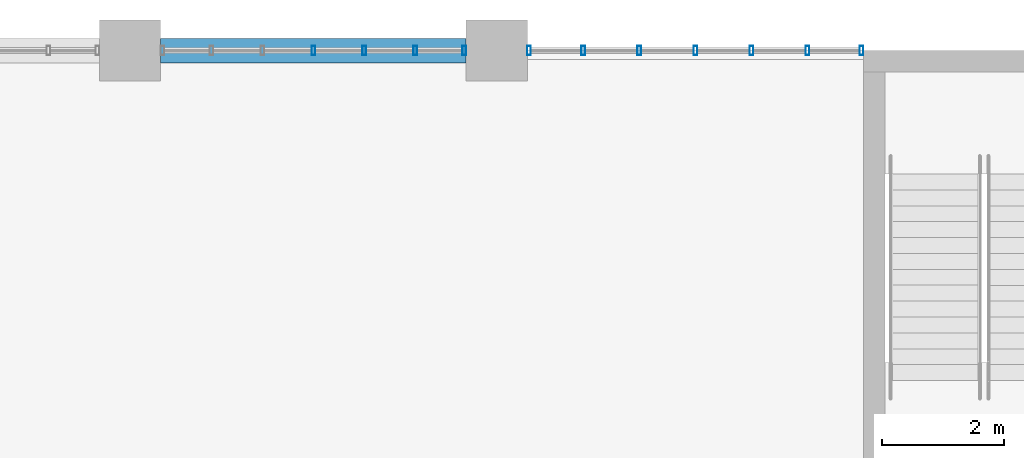
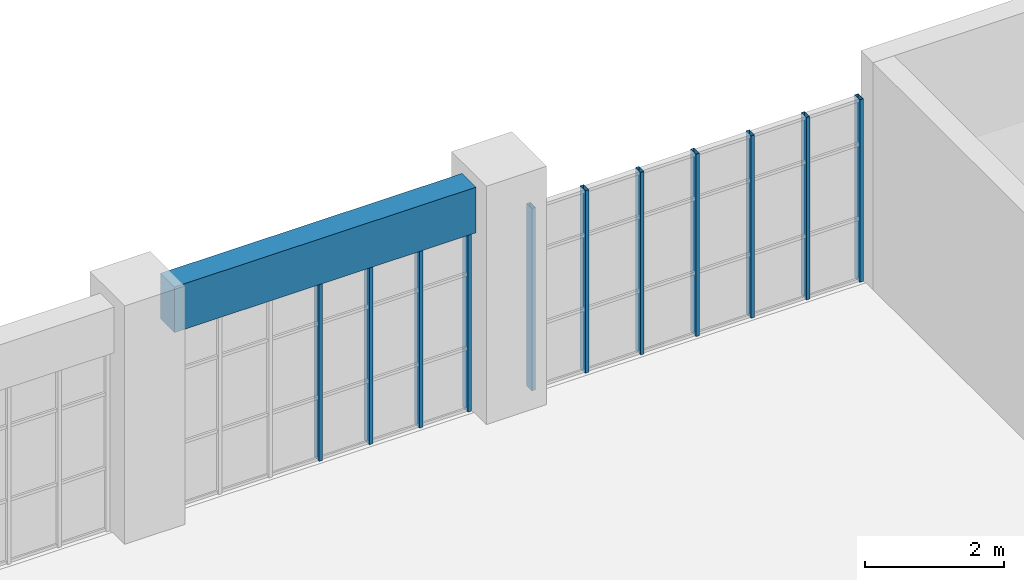
# One storey, part 43 of 92: 11 members, 1 beam, 2 elements without a shape of their own.
"""IFC4 building model written with IfcOpenShell, lengths in metres."""

from ifc_helpers import new_model, si_unit, direction, frame, origin, origin_2d, place, context, subcontext, project, spatial, rectangle, hollow_rectangle, extrude, material, material_profile, profile_set, type_object, element, aggregate, save


model = new_model("IFC4")

# Units and contexts
model_context = context("Model", 3, precision=1e-05, world=origin(), true_north=direction((0.0, 1.0)))
body_context = subcontext(model_context, "Body", "Model", "MODEL_VIEW")
ifc_project = project(units=[si_unit("LENGTHUNIT", "METRE"), si_unit("AREAUNIT", "SQUARE_METRE"), si_unit("VOLUMEUNIT", "CUBIC_METRE"), si_unit("PLANEANGLEUNIT", "RADIAN"), si_unit("MASSUNIT", "GRAM", prefix="KILO")], contexts=[model_context])

# Site, building, storey
site_placement = place(None, origin())
site = spatial("IfcSite", under=ifc_project, at=site_placement, CompositionType="ELEMENT")
building_placement = place(site_placement, origin())
building = spatial("IfcBuilding", under=site, at=building_placement, Name="Laocheng Heights Fire and Rescue Headquarters", CompositionType="ELEMENT")
storey_placement = place(building_placement, frame((0.0, 0.0, 12.60009765625)))
storey = spatial("IfcBuildingStorey", under=building, at=storey_placement, Name="L03", CompositionType="ELEMENT", Elevation=12.60009765625)

# Curtain wall, members
ifc_material_1 = material(Name="Dark anodised aluminium unitised curtain wall, low-e double glazing", Category="aluminium")
curtain_wall_type_1 = type_object("IfcCurtainWallType", Name="CW 5000 x 3200 HQ CONTROL ROOM FACE", PredefinedType="NOTDEFINED", material=ifc_material_1)
curtain_wall_1_placement = place(storey_placement, origin())
curtain_wall_1 = element("IfcCurtainWall", 1, at=curtain_wall_1_placement, inside=storey, type_object=curtain_wall_type_1, Name="X21-X HQ NORTH L03", PredefinedType="NOTDEFINED")
ifc_material_2 = material(Name="Dark anodised aluminium 6063-T5 extrusion", Category="aluminium")
ifc_material_profile_1 = material_profile(ifc_material_2, hollow_rectangle(XDim=0.14990234375, YDim=0.06005859375, WallThickness=0.0029296875, at=origin_2d()), Name="AL MULLION 150x60x3 HQ CONTROL ROOM FACE")
ifc_profile_set_1 = profile_set([ifc_material_profile_1], Name="Dark anodised aluminium 6063-T5 extrusion")
member_type = type_object("IfcMemberType", Name="AL MULLION 150x60x3 HQ CONTROL ROOM FACE", PredefinedType="MULLION", material=ifc_profile_set_1)
member_1_placement = place(storey_placement, frame((57.0, 72.0, 0.0), z_axis=(0.0, 0.0, 1.0), x_axis=(0.0, 1.0, 0.0)))
member_1 = element("IfcMember", 2, at=member_1_placement, type_object=member_type, Name="X21-X mullion 4", PredefinedType="MULLION", context=body_context, shape_type="SweptSolid", body=[
    extrude(hollow_rectangle(XDim=0.14990234375, YDim=0.06005859375, WallThickness=0.0029296875, at=origin_2d()), origin(), (0.0, 0.0, 1.0), 3.199951171875),
])
member_2_placement = place(storey_placement, frame((57.833251953125, 72.0, 0.0), z_axis=(0.0, 0.0, 1.0), x_axis=(0.0, 1.0, 0.0)))
member_2 = element("IfcMember", 3, at=member_2_placement, type_object=member_type, Name="X21-X mullion 5", PredefinedType="MULLION", context=body_context, shape_type="SweptSolid", body=[
    extrude(hollow_rectangle(XDim=0.14990234375, YDim=0.06005859375, WallThickness=0.0029296875, at=origin_2d()), origin(), (0.0, 0.0, 1.0), 3.199951171875),
])
member_3_placement = place(storey_placement, frame((58.666748046875, 72.0, 0.0), z_axis=(0.0, 0.0, 1.0), x_axis=(0.0, 1.0, 0.0)))
member_3 = element("IfcMember", 4, at=member_3_placement, type_object=member_type, Name="X21-X mullion 6", PredefinedType="MULLION", context=body_context, shape_type="SweptSolid", body=[
    extrude(hollow_rectangle(XDim=0.14990234375, YDim=0.06005859375, WallThickness=0.0029296875, at=origin_2d()), origin(), (0.0, 0.0, 1.0), 3.199951171875),
])
member_4_placement = place(storey_placement, frame((59.469970703125, 72.0, 0.0), z_axis=(0.0, 0.0, 1.0), x_axis=(0.0, 1.0, 0.0)))
member_4 = element("IfcMember", 5, at=member_4_placement, type_object=member_type, Name="X21-X mullion 7", PredefinedType="MULLION", context=body_context, shape_type="SweptSolid", body=[
    extrude(hollow_rectangle(XDim=0.14990234375, YDim=0.06005859375, WallThickness=0.0029296875, at=origin_2d()), origin(), (0.0, 0.0, 1.0), 3.199951171875),
])
aggregate(curtain_wall_1, [member_1, member_2, member_3, member_4])

ifc_material_3 = material(Name="Dark anodised aluminium unitised curtain wall, low-e double glazing", Category="aluminium")
curtain_wall_type_2 = type_object("IfcCurtainWallType", Name="CW 5500 x 3200 HQ CONTROL ROOM FACE", PredefinedType="NOTDEFINED", material=ifc_material_3)
curtain_wall_2_placement = place(storey_placement, origin())
curtain_wall_2 = element("IfcCurtainWall", 6, at=curtain_wall_2_placement, inside=storey, type_object=curtain_wall_type_2, Name="X22-X HQ NORTH L03", PredefinedType="NOTDEFINED")
member_5_placement = place(storey_placement, frame((60.530029296875, 72.0, 0.0), z_axis=(0.0, 0.0, 1.0), x_axis=(0.0, 1.0, 0.0)))
member_5 = element("IfcMember", 7, at=member_5_placement, type_object=member_type, Name="X22-X mullion 1", PredefinedType="MULLION", context=body_context, shape_type="SweptSolid", body=[
    extrude(hollow_rectangle(XDim=0.14990234375, YDim=0.06005859375, WallThickness=0.0029296875, at=origin_2d()), origin(), (0.0, 0.0, 1.0), 3.199951171875),
])
member_6_placement = place(storey_placement, frame((61.416748046875, 72.0, 0.0), z_axis=(0.0, 0.0, 1.0), x_axis=(0.0, 1.0, 0.0)))
member_6 = element("IfcMember", 8, at=member_6_placement, type_object=member_type, Name="X22-X mullion 2", PredefinedType="MULLION", context=body_context, shape_type="SweptSolid", body=[
    extrude(hollow_rectangle(XDim=0.14990234375, YDim=0.06005859375, WallThickness=0.0029296875, at=origin_2d()), origin(), (0.0, 0.0, 1.0), 3.199951171875),
])
member_7_placement = place(storey_placement, frame((62.333251953125, 72.0, 0.0), z_axis=(0.0, 0.0, 1.0), x_axis=(0.0, 1.0, 0.0)))
member_7 = element("IfcMember", 9, at=member_7_placement, type_object=member_type, Name="X22-X mullion 3", PredefinedType="MULLION", context=body_context, shape_type="SweptSolid", body=[
    extrude(hollow_rectangle(XDim=0.14990234375, YDim=0.06005859375, WallThickness=0.0029296875, at=origin_2d()), origin(), (0.0, 0.0, 1.0), 3.199951171875),
])
member_8_placement = place(storey_placement, frame((63.25, 72.0, 0.0), z_axis=(0.0, 0.0, 1.0), x_axis=(0.0, 1.0, 0.0)))
member_8 = element("IfcMember", 10, at=member_8_placement, type_object=member_type, Name="X22-X mullion 4", PredefinedType="MULLION", context=body_context, shape_type="SweptSolid", body=[
    extrude(hollow_rectangle(XDim=0.14990234375, YDim=0.06005859375, WallThickness=0.0029296875, at=origin_2d()), origin(), (0.0, 0.0, 1.0), 3.199951171875),
])
member_9_placement = place(storey_placement, frame((64.166748046875, 72.0, 0.0), z_axis=(0.0, 0.0, 1.0), x_axis=(0.0, 1.0, 0.0)))
member_9 = element("IfcMember", 11, at=member_9_placement, type_object=member_type, Name="X22-X mullion 5", PredefinedType="MULLION", context=body_context, shape_type="SweptSolid", body=[
    extrude(hollow_rectangle(XDim=0.14990234375, YDim=0.06005859375, WallThickness=0.0029296875, at=origin_2d()), origin(), (0.0, 0.0, 1.0), 3.199951171875),
])
member_10_placement = place(storey_placement, frame((65.083251953125, 72.0, 0.0), z_axis=(0.0, 0.0, 1.0), x_axis=(0.0, 1.0, 0.0)))
member_10 = element("IfcMember", 12, at=member_10_placement, type_object=member_type, Name="X22-X mullion 6", PredefinedType="MULLION", context=body_context, shape_type="SweptSolid", body=[
    extrude(hollow_rectangle(XDim=0.14990234375, YDim=0.06005859375, WallThickness=0.0029296875, at=origin_2d()), origin(), (0.0, 0.0, 1.0), 3.199951171875),
])
member_11_placement = place(storey_placement, frame((65.969970703125, 72.0, 0.0), z_axis=(0.0, 0.0, 1.0), x_axis=(0.0, 1.0, 0.0)))
member_11 = element("IfcMember", 13, at=member_11_placement, type_object=member_type, Name="X22-X mullion 7", PredefinedType="MULLION", context=body_context, shape_type="SweptSolid", body=[
    extrude(hollow_rectangle(XDim=0.14990234375, YDim=0.06005859375, WallThickness=0.0029296875, at=origin_2d()), origin(), (0.0, 0.0, 1.0), 3.199951171875),
])
aggregate(curtain_wall_2, [member_5, member_6, member_7, member_8, member_9, member_10, member_11])

# Beam
ifc_material_4 = material(Name="Concrete C40", Category="concrete")
ifc_material_profile_2 = material_profile(ifc_material_4, rectangle(XDim=0.39990234375, YDim=0.800048828125, at=origin_2d()), Name="RC BEAM 400x800 HQ")
ifc_profile_set_2 = profile_set([ifc_material_profile_2], Name="Concrete C40")
beam_type = type_object("IfcBeamType", Name="RC BEAM 400x800 HQ", PredefinedType="BEAM", material=ifc_profile_set_2)
beam_placement = place(storey_placement, frame((54.5, 72.0, 3.599853515625), z_axis=(1.0, 0.0, 0.0), x_axis=(0.0, 1.0, 0.0)))
element("IfcBeam", 14, at=beam_placement, inside=storey, type_object=beam_type, Name="HQ beam L03", PredefinedType="BEAM", context=body_context, shape_type="SweptSolid", body=[
    extrude(rectangle(XDim=0.39990234375, YDim=0.800048828125, at=origin_2d()), origin(), (0.0, 0.0, 1.0), 5.0),
])

save(model, "model.ifc")
